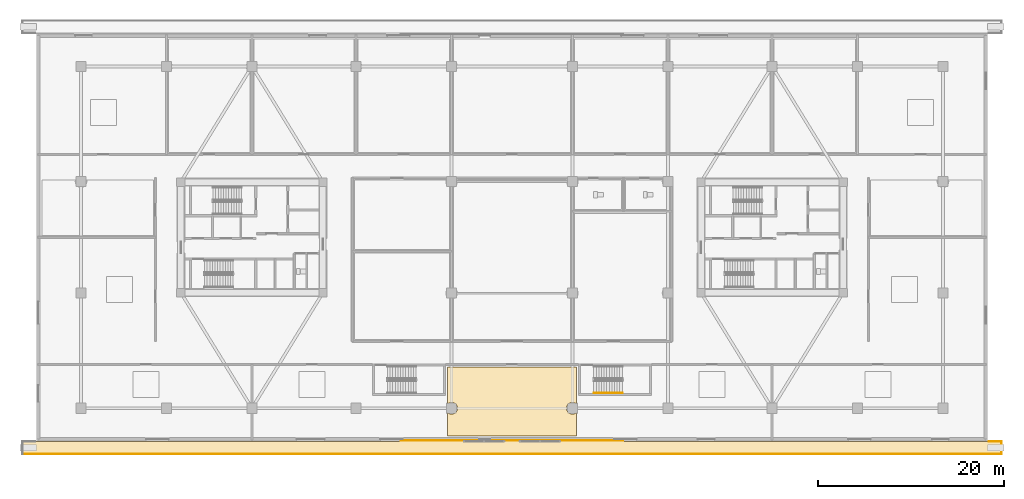
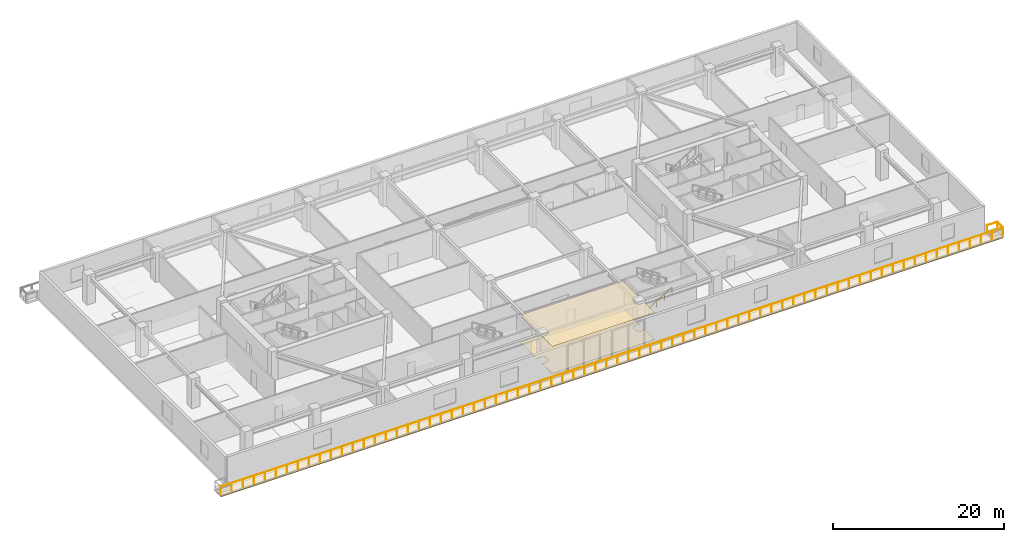
# One storey, part 16 of 23: 4 coverings, 2 railings.
"""IFC4 building model written with IfcOpenShell, lengths in metres."""

from ifc_helpers import new_model, si_unit, direction, frame, origin, origin_2d, place, context, subcontext, project, spatial, polyline, rectangle, outline, extrude, source, transform, mapped, material, layer, layer_set, type_object, type_shapes, element, save


model = new_model("IFC4")

# Units and contexts
model_context = context("Model", 3, precision=1e-05, world=origin(), true_north=direction((0.0, 1.0)))
body_context = subcontext(model_context, "Body", "Model", "MODEL_VIEW")
ifc_project = project(units=[si_unit("LENGTHUNIT", "METRE"), si_unit("AREAUNIT", "SQUARE_METRE"), si_unit("VOLUMEUNIT", "CUBIC_METRE"), si_unit("PLANEANGLEUNIT", "RADIAN"), si_unit("MASSUNIT", "GRAM", prefix="KILO")], contexts=[model_context])

# Site, building, storey
site_placement = place(None, origin())
site = spatial("IfcSite", under=ifc_project, at=site_placement, CompositionType="ELEMENT")
building_placement = place(site_placement, origin())
building = spatial("IfcBuilding", under=site, at=building_placement, Name="Norrkilde Senior Care Towers", CompositionType="ELEMENT")
storey_placement = place(building_placement, frame((0.0, 0.0, 8.39990234375)))
storey = spatial("IfcBuildingStorey", under=building, at=storey_placement, Name="L02", CompositionType="ELEMENT", Elevation=8.39990234375)

# Railing
ifc_material_1 = material(Name="Anodised Aluminium", Category="aluminium")
railing_type_1 = type_object("IfcRailingType", Name="Balcony Swirl Ribbon Guardrail 1150", PredefinedType="GUARDRAIL", material=ifc_material_1)
railing_1_placement = place(storey_placement, frame((51.358642578125, -21.985107421875, 0.0)))
element("IfcRailing", 1, at=railing_1_placement, inside=storey, type_object=railing_type_1, Name="L02 Perimeter Safety Guard 02", PredefinedType="GUARDRAIL", context=body_context, shape_type="SweptSolid", body=[
    extrude(rectangle(XDim=0.048095703125, YDim=0.048095703125, at=origin_2d()), frame((0.0, 0.0, 1.1259765625), z_axis=(1.0, 0.0, 0.0), x_axis=(0.0, 1.0, 0.0)), (0.0, 0.0, 1.0), 1.320556640625),
    extrude(rectangle(XDim=0.048095703125, YDim=0.048095703125, at=origin_2d()), frame((1.361328125, -0.040771484375, 1.1259765625), z_axis=(0.0, -1.0, 0.0), x_axis=(1.0, 0.0, 0.0)), (0.0, 0.0, 1.0), 1.253173828125),
    extrude(rectangle(XDim=0.048095703125, YDim=0.048095703125, at=origin_2d()), frame((1.320556640625, -1.3349609375, 1.1259765625), z_axis=(-1.0, 0.0, 0.0), x_axis=(0.0, -1.0, 0.0)), (0.0, 0.0, 1.0), 105.399169921875),
    extrude(rectangle(XDim=0.0419921875, YDim=0.0419921875, at=origin_2d()), origin(), (0.0, 0.0, 1.0), 1.099853515625),
    extrude(rectangle(XDim=0.0419921875, YDim=0.0419921875, at=origin_2d()), frame((1.361328125, 0.0, 0.0)), (0.0, 0.0, 1.0), 1.099853515625),
    extrude(rectangle(XDim=0.0419921875, YDim=0.0419921875, at=origin_2d()), frame((1.361328125, -1.3349609375, 0.0)), (0.0, 0.0, 1.0), 1.099853515625),
    extrude(rectangle(XDim=0.0419921875, YDim=0.0419921875, at=origin_2d()), frame((-0.123779296875, -1.3349609375, 0.0)), (0.0, 0.0, 1.0), 1.099853515625),
    extrude(rectangle(XDim=0.0419921875, YDim=0.0419921875, at=origin_2d()), frame((-1.60888671875, -1.3349609375, 0.0)), (0.0, 0.0, 1.0), 1.099853515625),
    extrude(rectangle(XDim=0.0419921875, YDim=0.0419921875, at=origin_2d()), frame((-3.093994140625, -1.3349609375, 0.0)), (0.0, 0.0, 1.0), 1.099853515625),
    extrude(rectangle(XDim=0.0419921875, YDim=0.0419921875, at=origin_2d()), frame((-4.578857421875, -1.3349609375, 0.0)), (0.0, 0.0, 1.0), 1.099853515625),
    extrude(rectangle(XDim=0.0419921875, YDim=0.0419921875, at=origin_2d()), frame((-6.06396484375, -1.3349609375, 0.0)), (0.0, 0.0, 1.0), 1.099853515625),
    extrude(rectangle(XDim=0.0419921875, YDim=0.0419921875, at=origin_2d()), frame((-7.549072265625, -1.3349609375, 0.0)), (0.0, 0.0, 1.0), 1.099853515625),
    extrude(rectangle(XDim=0.0419921875, YDim=0.0419921875, at=origin_2d()), frame((-9.0341796875, -1.3349609375, 0.0)), (0.0, 0.0, 1.0), 1.099853515625),
    extrude(rectangle(XDim=0.0419921875, YDim=0.0419921875, at=origin_2d()), frame((-10.519287109375, -1.3349609375, 0.0)), (0.0, 0.0, 1.0), 1.099853515625),
    extrude(rectangle(XDim=0.0419921875, YDim=0.0419921875, at=origin_2d()), frame((-12.00439453125, -1.3349609375, 0.0)), (0.0, 0.0, 1.0), 1.099853515625),
    extrude(rectangle(XDim=0.0419921875, YDim=0.0419921875, at=origin_2d()), frame((-13.4892578125, -1.3349609375, 0.0)), (0.0, 0.0, 1.0), 1.099853515625),
    extrude(rectangle(XDim=0.0419921875, YDim=0.0419921875, at=origin_2d()), frame((-14.974365234375, -1.3349609375, 0.0)), (0.0, 0.0, 1.0), 1.099853515625),
    extrude(rectangle(XDim=0.0419921875, YDim=0.0419921875, at=origin_2d()), frame((-16.45947265625, -1.3349609375, 0.0)), (0.0, 0.0, 1.0), 1.099853515625),
    extrude(rectangle(XDim=0.0419921875, YDim=0.0419921875, at=origin_2d()), frame((-17.944580078125, -1.3349609375, 0.0)), (0.0, 0.0, 1.0), 1.099853515625),
    extrude(rectangle(XDim=0.0419921875, YDim=0.0419921875, at=origin_2d()), frame((-19.4296875, -1.3349609375, 0.0)), (0.0, 0.0, 1.0), 1.099853515625),
    extrude(rectangle(XDim=0.0419921875, YDim=0.0419921875, at=origin_2d()), frame((-20.914794921875, -1.3349609375, 0.0)), (0.0, 0.0, 1.0), 1.099853515625),
    extrude(rectangle(XDim=0.0419921875, YDim=0.0419921875, at=origin_2d()), frame((-22.39990234375, -1.3349609375, 0.0)), (0.0, 0.0, 1.0), 1.099853515625),
    extrude(rectangle(XDim=0.0419921875, YDim=0.0419921875, at=origin_2d()), frame((-23.884765625, -1.3349609375, 0.0)), (0.0, 0.0, 1.0), 1.099853515625),
    extrude(rectangle(XDim=0.0419921875, YDim=0.0419921875, at=origin_2d()), frame((-25.369873046875, -1.3349609375, 0.0)), (0.0, 0.0, 1.0), 1.099853515625),
    extrude(rectangle(XDim=0.0419921875, YDim=0.0419921875, at=origin_2d()), frame((-26.85498046875, -1.3349609375, 0.0)), (0.0, 0.0, 1.0), 1.099853515625),
    extrude(rectangle(XDim=0.0419921875, YDim=0.0419921875, at=origin_2d()), frame((-28.340087890625, -1.3349609375, 0.0)), (0.0, 0.0, 1.0), 1.099853515625),
    extrude(rectangle(XDim=0.0419921875, YDim=0.0419921875, at=origin_2d()), frame((-29.8251953125, -1.3349609375, 0.0)), (0.0, 0.0, 1.0), 1.099853515625),
    extrude(rectangle(XDim=0.0419921875, YDim=0.0419921875, at=origin_2d()), frame((-31.310302734375, -1.3349609375, 0.0)), (0.0, 0.0, 1.0), 1.099853515625),
    extrude(rectangle(XDim=0.0419921875, YDim=0.0419921875, at=origin_2d()), frame((-32.795166015625, -1.3349609375, 0.0)), (0.0, 0.0, 1.0), 1.099853515625),
    extrude(rectangle(XDim=0.0419921875, YDim=0.0419921875, at=origin_2d()), frame((-34.2802734375, -1.3349609375, 0.0)), (0.0, 0.0, 1.0), 1.099853515625),
    extrude(rectangle(XDim=0.0419921875, YDim=0.0419921875, at=origin_2d()), frame((-35.765380859375, -1.3349609375, 0.0)), (0.0, 0.0, 1.0), 1.099853515625),
    extrude(rectangle(XDim=0.0419921875, YDim=0.0419921875, at=origin_2d()), frame((-37.25048828125, -1.3349609375, 0.0)), (0.0, 0.0, 1.0), 1.099853515625),
    extrude(rectangle(XDim=0.0419921875, YDim=0.0419921875, at=origin_2d()), frame((-38.735595703125, -1.3349609375, 0.0)), (0.0, 0.0, 1.0), 1.099853515625),
    extrude(rectangle(XDim=0.0419921875, YDim=0.0419921875, at=origin_2d()), frame((-40.220703125, -1.3349609375, 0.0)), (0.0, 0.0, 1.0), 1.099853515625),
    extrude(rectangle(XDim=0.0419921875, YDim=0.0419921875, at=origin_2d()), frame((-41.705810546875, -1.3349609375, 0.0)), (0.0, 0.0, 1.0), 1.099853515625),
    extrude(rectangle(XDim=0.0419921875, YDim=0.0419921875, at=origin_2d()), frame((-43.190673828125, -1.3349609375, 0.0)), (0.0, 0.0, 1.0), 1.099853515625),
    extrude(rectangle(XDim=0.0419921875, YDim=0.0419921875, at=origin_2d()), frame((-44.67578125, -1.3349609375, 0.0)), (0.0, 0.0, 1.0), 1.099853515625),
    extrude(rectangle(XDim=0.0419921875, YDim=0.0419921875, at=origin_2d()), frame((-46.160888671875, -1.3349609375, 0.0)), (0.0, 0.0, 1.0), 1.099853515625),
    extrude(rectangle(XDim=0.0419921875, YDim=0.0419921875, at=origin_2d()), frame((-47.64599609375, -1.3349609375, 0.0)), (0.0, 0.0, 1.0), 1.099853515625),
    extrude(rectangle(XDim=0.0419921875, YDim=0.0419921875, at=origin_2d()), frame((-49.131103515625, -1.3349609375, 0.0)), (0.0, 0.0, 1.0), 1.099853515625),
    extrude(rectangle(XDim=0.0419921875, YDim=0.0419921875, at=origin_2d()), frame((-50.6162109375, -1.3349609375, 0.0)), (0.0, 0.0, 1.0), 1.099853515625),
    extrude(rectangle(XDim=0.0419921875, YDim=0.0419921875, at=origin_2d()), frame((-52.10107421875, -1.3349609375, 0.0)), (0.0, 0.0, 1.0), 1.099853515625),
    extrude(rectangle(XDim=0.0419921875, YDim=0.0419921875, at=origin_2d()), frame((-53.586181640625, -1.3349609375, 0.0)), (0.0, 0.0, 1.0), 1.099853515625),
    extrude(rectangle(XDim=0.0419921875, YDim=0.0419921875, at=origin_2d()), frame((-55.0712890625, -1.3349609375, 0.0)), (0.0, 0.0, 1.0), 1.099853515625),
    extrude(rectangle(XDim=0.0419921875, YDim=0.0419921875, at=origin_2d()), frame((-56.556396484375, -1.3349609375, 0.0)), (0.0, 0.0, 1.0), 1.099853515625),
    extrude(rectangle(XDim=0.0419921875, YDim=0.0419921875, at=origin_2d()), frame((-58.04150390625, -1.3349609375, 0.0)), (0.0, 0.0, 1.0), 1.099853515625),
    extrude(rectangle(XDim=0.0419921875, YDim=0.0419921875, at=origin_2d()), frame((-59.526611328125, -1.3349609375, 0.0)), (0.0, 0.0, 1.0), 1.099853515625),
    extrude(rectangle(XDim=0.0419921875, YDim=0.0419921875, at=origin_2d()), frame((-61.011474609375, -1.3349609375, 0.0)), (0.0, 0.0, 1.0), 1.099853515625),
    extrude(rectangle(XDim=0.0419921875, YDim=0.0419921875, at=origin_2d()), frame((-62.49658203125, -1.3349609375, 0.0)), (0.0, 0.0, 1.0), 1.099853515625),
    extrude(rectangle(XDim=0.0419921875, YDim=0.0419921875, at=origin_2d()), frame((-63.981689453125, -1.3349609375, 0.0)), (0.0, 0.0, 1.0), 1.099853515625),
    extrude(rectangle(XDim=0.0419921875, YDim=0.0419921875, at=origin_2d()), frame((-65.466796875, -1.3349609375, 0.0)), (0.0, 0.0, 1.0), 1.099853515625),
    extrude(rectangle(XDim=0.0419921875, YDim=0.0419921875, at=origin_2d()), frame((-66.951904296875, -1.3349609375, 0.0)), (0.0, 0.0, 1.0), 1.099853515625),
    extrude(rectangle(XDim=0.0419921875, YDim=0.0419921875, at=origin_2d()), frame((-68.43701171875, -1.3349609375, 0.0)), (0.0, 0.0, 1.0), 1.099853515625),
    extrude(rectangle(XDim=0.0419921875, YDim=0.0419921875, at=origin_2d()), frame((-69.922119140625, -1.3349609375, 0.0)), (0.0, 0.0, 1.0), 1.099853515625),
    extrude(rectangle(XDim=0.0419921875, YDim=0.0419921875, at=origin_2d()), frame((-71.406982421875, -1.3349609375, 0.0)), (0.0, 0.0, 1.0), 1.099853515625),
    extrude(rectangle(XDim=0.0419921875, YDim=0.0419921875, at=origin_2d()), frame((-72.89208984375, -1.3349609375, 0.0)), (0.0, 0.0, 1.0), 1.099853515625),
    extrude(rectangle(XDim=0.0419921875, YDim=0.0419921875, at=origin_2d()), frame((-74.377197265625, -1.3349609375, 0.0)), (0.0, 0.0, 1.0), 1.099853515625),
    extrude(rectangle(XDim=0.0419921875, YDim=0.0419921875, at=origin_2d()), frame((-75.8623046875, -1.3349609375, 0.0)), (0.0, 0.0, 1.0), 1.099853515625),
    extrude(rectangle(XDim=0.0419921875, YDim=0.0419921875, at=origin_2d()), frame((-77.347412109375, -1.3349609375, 0.0)), (0.0, 0.0, 1.0), 1.099853515625),
    extrude(rectangle(XDim=0.0419921875, YDim=0.0419921875, at=origin_2d()), frame((-78.83251953125, -1.3349609375, 0.0)), (0.0, 0.0, 1.0), 1.099853515625),
    extrude(rectangle(XDim=0.0419921875, YDim=0.0419921875, at=origin_2d()), frame((-80.3173828125, -1.3349609375, 0.0)), (0.0, 0.0, 1.0), 1.099853515625),
    extrude(rectangle(XDim=0.0419921875, YDim=0.0419921875, at=origin_2d()), frame((-81.802490234375, -1.3349609375, 0.0)), (0.0, 0.0, 1.0), 1.099853515625),
    extrude(rectangle(XDim=0.0419921875, YDim=0.0419921875, at=origin_2d()), frame((-83.28759765625, -1.3349609375, 0.0)), (0.0, 0.0, 1.0), 1.099853515625),
    extrude(rectangle(XDim=0.0419921875, YDim=0.0419921875, at=origin_2d()), frame((-84.772705078125, -1.3349609375, 0.0)), (0.0, 0.0, 1.0), 1.099853515625),
    extrude(rectangle(XDim=0.0419921875, YDim=0.0419921875, at=origin_2d()), frame((-86.2578125, -1.3349609375, 0.0)), (0.0, 0.0, 1.0), 1.099853515625),
    extrude(rectangle(XDim=0.0419921875, YDim=0.0419921875, at=origin_2d()), frame((-87.742919921875, -1.3349609375, 0.0)), (0.0, 0.0, 1.0), 1.099853515625),
    extrude(rectangle(XDim=0.0419921875, YDim=0.0419921875, at=origin_2d()), frame((-89.22802734375, -1.3349609375, 0.0)), (0.0, 0.0, 1.0), 1.099853515625),
    extrude(rectangle(XDim=0.0419921875, YDim=0.0419921875, at=origin_2d()), frame((-90.712890625, -1.3349609375, 0.0)), (0.0, 0.0, 1.0), 1.099853515625),
    extrude(rectangle(XDim=0.0419921875, YDim=0.0419921875, at=origin_2d()), frame((-92.197998046875, -1.3349609375, 0.0)), (0.0, 0.0, 1.0), 1.099853515625),
    extrude(rectangle(XDim=0.0419921875, YDim=0.0419921875, at=origin_2d()), frame((-93.68310546875, -1.3349609375, 0.0)), (0.0, 0.0, 1.0), 1.099853515625),
    extrude(rectangle(XDim=0.0419921875, YDim=0.0419921875, at=origin_2d()), frame((-95.168212890625, -1.3349609375, 0.0)), (0.0, 0.0, 1.0), 1.099853515625),
    extrude(rectangle(XDim=0.0419921875, YDim=0.0419921875, at=origin_2d()), frame((-96.6533203125, -1.3349609375, 0.0)), (0.0, 0.0, 1.0), 1.099853515625),
    extrude(rectangle(XDim=0.0419921875, YDim=0.0419921875, at=origin_2d()), frame((-98.138427734375, -1.3349609375, 0.0)), (0.0, 0.0, 1.0), 1.099853515625),
    extrude(rectangle(XDim=0.0419921875, YDim=0.0419921875, at=origin_2d()), frame((-99.623291015625, -1.3349609375, 0.0)), (0.0, 0.0, 1.0), 1.099853515625),
    extrude(rectangle(XDim=0.0419921875, YDim=0.0419921875, at=origin_2d()), frame((-101.1083984375, -1.3349609375, 0.0)), (0.0, 0.0, 1.0), 1.099853515625),
    extrude(rectangle(XDim=0.0419921875, YDim=0.0419921875, at=origin_2d()), frame((-102.593505859375, -1.3349609375, 0.0)), (0.0, 0.0, 1.0), 1.099853515625),
    extrude(rectangle(XDim=0.0419921875, YDim=0.0419921875, at=origin_2d()), frame((-104.07861328125, -1.3349609375, 0.0)), (0.0, 0.0, 1.0), 1.099853515625),
])

# Coverings
ifc_material_2 = material(Name="EPDM Waterproofing and PIR Insulation")
ifc_layer_1 = layer(ifc_material_2, 0.159912109375)
ifc_layer_set_1 = layer_set([ifc_layer_1], Name="EPDM Waterproofing and PIR Insulation")
covering_type_1 = type_object("IfcCoveringType", Name="Insulated EPDM Roof Membrane 160", PredefinedType="ROOFING", material=ifc_layer_set_1)
covering_1_placement = place(storey_placement, frame((0.0, 0.0, -0.389892578125)))
element("IfcCovering", 2, at=covering_1_placement, inside=storey, type_object=covering_type_1, Name="L02 S Terrace Waterproof Membrane", PredefinedType="ROOFING", context=body_context, shape_type="SweptSolid", body=[
    extrude(outline(polyline([(-52.699951171875, -23.300048828125), (52.699951171875, -23.300048828125), (52.699951171875, -22.0048828125), (-52.699951171875, -22.0048828125), (-52.699951171875, -23.300048828125)])), origin(), (0.0, 0.0, 1.0), 0.159912109375),
])
ifc_material_3 = material(Name="Gypsum Acoustic Board")
ifc_layer_2 = layer(ifc_material_3, 0.030029296875)
ifc_layer_set_2 = layer_set([ifc_layer_2], Name="Gypsum Acoustic Board")
covering_type_2 = type_object("IfcCoveringType", Name="Medical Cleanable Gypsum Ceiling 30", PredefinedType="CEILING", material=ifc_layer_set_2)
covering_2_placement = place(storey_placement, frame((0.0, 0.0, 3.85009765625)))
element("IfcCovering", 3, at=covering_2_placement, inside=storey, type_object=covering_type_2, Name="L02 Suspended Ceiling 0067", PredefinedType="CEILING", context=body_context, shape_type="SweptSolid", body=[
    extrude(outline(polyline([(-6.929931640625, -21.3798828125), (-6.929931640625, -18.857421875), (-6.81494140625, -18.945556640625), (-6.6630859375, -19.008544921875), (-6.5, -19.030029296875), (-6.3369140625, -19.008544921875), (-6.18505859375, -18.945556640625), (-6.054443359375, -18.845458984375), (-5.954345703125, -18.715087890625), (-5.891357421875, -18.56298828125), (-5.8701171875, -18.39990234375), (-5.891357421875, -18.237060546875), (-5.954345703125, -18.0849609375), (-6.054443359375, -17.95458984375), (-6.18505859375, -17.8544921875), (-6.3369140625, -17.79150390625), (-6.5, -17.77001953125), (-6.6630859375, -17.79150390625), (-6.81494140625, -17.8544921875), (-6.929931640625, -17.942626953125), (-6.929931640625, -13.93994140625), (6.929931640625, -13.93994140625), (6.929931640625, -17.942626953125), (6.81494140625, -17.8544921875), (6.6630859375, -17.79150390625), (6.5, -17.77001953125), (6.3369140625, -17.79150390625), (6.18505859375, -17.8544921875), (6.054443359375, -17.95458984375), (5.954345703125, -18.0849609375), (5.891357421875, -18.237060546875), (5.8701171875, -18.39990234375), (5.891357421875, -18.56298828125), (5.954345703125, -18.715087890625), (6.054443359375, -18.845458984375), (6.18505859375, -18.945556640625), (6.3369140625, -19.008544921875), (6.5, -19.030029296875), (6.6630859375, -19.008544921875), (6.81494140625, -18.945556640625), (6.929931640625, -18.857421875), (6.929931640625, -21.3798828125), (-6.929931640625, -21.3798828125)])), origin(), (0.0, 0.0, 1.0), 0.030029296875),
])
ifc_material_4 = material(Name="Slip-Resistant Porcelain Stone", Category="masonry")
ifc_layer_3 = layer(ifc_material_4, 0.02490234375)
ifc_layer_set_3 = layer_set([ifc_layer_3], Name="Slip-Resistant Porcelain Stone")
covering_type_3 = type_object("IfcCoveringType", Name="Slip-Resistant Porcelain Flooring 25", PredefinedType="FLOORING", material=ifc_layer_set_3)
covering_3_placement = place(storey_placement, origin())
element("IfcCovering", 4, at=covering_3_placement, inside=storey, type_object=covering_type_3, Name="L02 Floor Finish 0067", PredefinedType="FLOORING", context=body_context, shape_type="SweptSolid", body=[
    extrude(outline(polyline([(-6.929931640625, -21.3798828125), (-6.929931640625, -18.857421875), (-6.81494140625, -18.945556640625), (-6.6630859375, -19.008544921875), (-6.5, -19.030029296875), (-6.3369140625, -19.008544921875), (-6.18505859375, -18.945556640625), (-6.054443359375, -18.845458984375), (-5.954345703125, -18.715087890625), (-5.891357421875, -18.56298828125), (-5.8701171875, -18.39990234375), (-5.891357421875, -18.237060546875), (-5.954345703125, -18.0849609375), (-6.054443359375, -17.95458984375), (-6.18505859375, -17.8544921875), (-6.3369140625, -17.79150390625), (-6.5, -17.77001953125), (-6.6630859375, -17.79150390625), (-6.81494140625, -17.8544921875), (-6.929931640625, -17.942626953125), (-6.929931640625, -13.93994140625), (6.929931640625, -13.93994140625), (6.929931640625, -17.942626953125), (6.81494140625, -17.8544921875), (6.6630859375, -17.79150390625), (6.5, -17.77001953125), (6.3369140625, -17.79150390625), (6.18505859375, -17.8544921875), (6.054443359375, -17.95458984375), (5.954345703125, -18.0849609375), (5.891357421875, -18.237060546875), (5.8701171875, -18.39990234375), (5.891357421875, -18.56298828125), (5.954345703125, -18.715087890625), (6.054443359375, -18.845458984375), (6.18505859375, -18.945556640625), (6.3369140625, -19.008544921875), (6.5, -19.030029296875), (6.6630859375, -19.008544921875), (6.81494140625, -18.945556640625), (6.929931640625, -18.857421875), (6.929931640625, -21.3798828125), (-6.929931640625, -21.3798828125)])), origin(), (0.0, 0.0, 1.0), 0.025146484375),
])

# Railing
ifc_material_5 = material(Name="Nordic Ash Timber", Category="wood")
railing_type_2 = type_object("IfcRailingType", Name="Wall and Stair Handrail 900", PredefinedType="HANDRAIL", material=ifc_material_5)
railing_2_placement = place(storey_placement, frame((8.800048828125, -16.75, 0.175048828125)))
element("IfcRailing", 5, at=railing_2_placement, inside=storey, type_object=railing_type_2, Name="L02 ST-P2 stair handrail 1", PredefinedType="HANDRAIL", context=body_context, shape_type="SweptSolid", body=[
    extrude(rectangle(XDim=0.048095703125, YDim=0.048095703125, at=origin_2d()), frame((0.0, 0.0, 0.8759765625), z_axis=(0.847979421464, 0.0, 0.530029150871), x_axis=(0.0, 1.0, 0.0)), (0.0, 0.0, 1.0), 3.632080078125),
    extrude(rectangle(XDim=0.0419921875, YDim=0.0419921875, at=origin_2d()), origin(), (0.0, 0.0, 1.0), 0.849853515625),
    extrude(rectangle(XDim=0.0419921875, YDim=0.0419921875, at=origin_2d()), frame((1.026611328125, 0.0, 0.6416015625)), (0.0, 0.0, 1.0), 0.849853515625),
    extrude(rectangle(XDim=0.0419921875, YDim=0.0419921875, at=origin_2d()), frame((2.05322265625, 0.0, 1.283447265625)), (0.0, 0.0, 1.0), 0.849853515625),
    extrude(rectangle(XDim=0.0419921875, YDim=0.0419921875, at=origin_2d()), frame((3.079833984375, 0.0, 1.925048828125)), (0.0, 0.0, 1.0), 0.849853515625),
])

# Covering
ifc_material_6 = material(Name="Architectural Terracotta", Category="masonry")
ifc_layer_4 = layer(ifc_material_6, 0.0400390625)
ifc_layer_set_4 = layer_set([ifc_layer_4], Name="Architectural Terracotta")
covering_type_4 = type_object("IfcCoveringType", Name="Glazed Terracotta Spandrel Cladding 40", PredefinedType="CLADDING", material=ifc_layer_set_4)
shared_shape = source(origin(), body_context, "Body", "SweptSolid", [
    extrude(rectangle(XDim=24.0, YDim=0.0400390625, at=origin_2d()), origin(), (0.0, 0.0, 1.0), 0.320068359375),
])
type_shapes(covering_type_4, [shared_shape])
covering_4_placement = place(storey_placement, frame((0.0, -21.8798828125, -0.31982421875), z_axis=(0.0, 0.0, 1.0), x_axis=(1.0, 0.0, 0.0)))
element("IfcCovering", 6, at=covering_4_placement, inside=storey, type_object=covering_type_4, Name="L02 S Terracotta Spandrel Band", PredefinedType="CLADDING", context=body_context, shape_type="MappedRepresentation", body=[
    mapped(shared_shape, transform((0.0, 0.0, 0.0), x_axis=(1.0, 0.0, 0.0), y_axis=(0.0, 1.0, 0.0), z_axis=(0.0, 0.0, 1.0), scale=1.0)),
])

save(model, "model.ifc")
